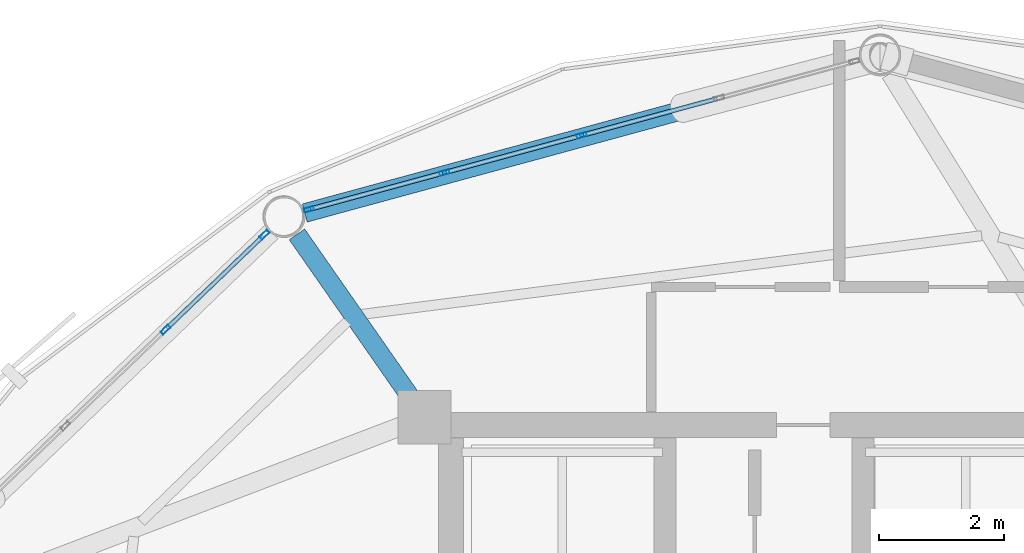
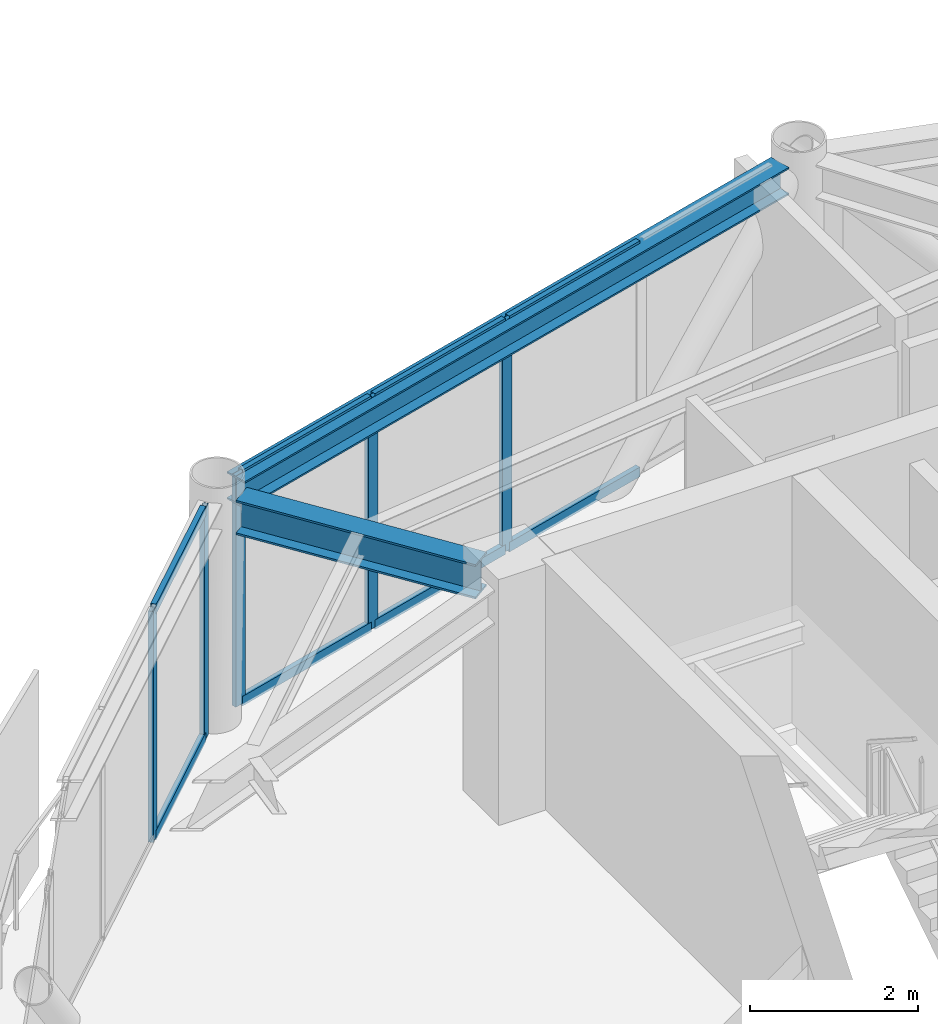
# One storey, part 18 of 28: 13 members, 2 beams, 2 elements without a shape of their own.
"""IFC4 building model written with IfcOpenShell, lengths in metres."""

from ifc_helpers import new_model, si_unit, direction, frame, origin, origin_2d, place, context, subcontext, project, spatial, hollow_rectangle, i_section, extrude, material, layer, layer_set, material_profile, profile_set, type_object, element, aggregate, save


model = new_model("IFC4")

# Units and contexts
model_context = context("Model", 3, precision=1e-05, world=origin(), true_north=direction((0.0, 1.0)))
body_context = subcontext(model_context, "Body", "Model", "MODEL_VIEW")
ifc_project = project(units=[si_unit("LENGTHUNIT", "METRE"), si_unit("AREAUNIT", "SQUARE_METRE"), si_unit("VOLUMEUNIT", "CUBIC_METRE"), si_unit("PLANEANGLEUNIT", "RADIAN"), si_unit("MASSUNIT", "GRAM", prefix="KILO")], contexts=[model_context])

# Site, building, storey
site_placement = place(None, origin())
site = spatial("IfcSite", under=ifc_project, at=site_placement, CompositionType="ELEMENT")
building_placement = place(site_placement, origin())
building = spatial("IfcBuilding", under=site, at=building_placement, Name="Varnakorn Sky Granary", CompositionType="ELEMENT")
storey_placement = place(building_placement, frame((0.0, 0.0, 211.199951171875)))
storey = spatial("IfcBuildingStorey", under=building, at=storey_placement, Name="L53", CompositionType="ELEMENT", Elevation=211.199951171875)

# Beams
ifc_material_1 = material(Name="Steel S355JR", Category="steel")
ifc_material_profile_1 = material_profile(ifc_material_1, i_section(OverallWidth=0.300048828125, OverallDepth=0.5, WebThickness=0.014404296875, FlangeThickness=0.028076171875, at=origin_2d()), Name="HE 500 B")
ifc_profile_set_1 = profile_set([ifc_material_profile_1], Name="Steel S355JR")
beam_type_1 = type_object("IfcBeamType", Name="BM-RAD-Z4", PredefinedType="BEAM", material=ifc_profile_set_1)
beam_1_placement = place(storey_placement, frame((-2.651611328125, 12.952392578125, 3.110107421875), z_axis=(-0.571803714406, 0.82039046325, 0.0), x_axis=(-0.82039046325, -0.571803714406, 0.0)))
element("IfcBeam", 1, at=beam_1_placement, inside=storey, type_object=beam_type_1, Name="Radial Floor Girder RG05 L53", PredefinedType="BEAM", context=body_context, shape_type="SweptSolid", body=[
    extrude(i_section(OverallWidth=0.300048828125, OverallDepth=0.5, WebThickness=0.014404296875, FlangeThickness=0.028076171875, at=origin_2d()), origin(), (0.0, 0.0, 1.0), 3.153564453125),
])
ifc_material_profile_2 = material_profile(ifc_material_1, i_section(OverallWidth=0.300048828125, OverallDepth=0.39990234375, WebThickness=0.013427734375, FlangeThickness=0.02392578125, at=origin_2d()), Name="HE 400 B")
ifc_profile_set_2 = profile_set([ifc_material_profile_2], Name="Steel S355JR")
beam_type_2 = type_object("IfcBeamType", Name="BM-SPD-Z4", PredefinedType="SPANDREL", material=ifc_profile_set_2)
beam_2_placement = place(storey_placement, frame((4.5458984375, 18.29443359375, 3.16015625), z_axis=(-0.964961366881, -0.262391997644, 0.0), x_axis=(0.262391997644, -0.964961366881, 0.0)))
element("IfcBeam", 2, at=beam_2_placement, inside=storey, type_object=beam_type_2, Name="Perimeter Spandrel Ring Beam RB04 L53", PredefinedType="SPANDREL", context=body_context, shape_type="SweptSolid", body=[
    extrude(i_section(OverallWidth=0.300048828125, OverallDepth=0.39990234375, WebThickness=0.013427734375, FlangeThickness=0.02392578125, at=origin_2d()), origin(), (0.0, 0.0, 1.0), 9.19921875),
])

# Curtain wall, members
ifc_material_2 = material(Name="Anodised Bronze Aluminium Alloy 6063-T6", Category="aluminium")
ifc_layer = layer(ifc_material_2, 0.169921875, Name="Anodised Bronze Aluminium Alloy 6063-T6")
ifc_layer_set = layer_set([ifc_layer], Name="Anodised Bronze Aluminium Alloy 6063-T6")
curtain_wall_type = type_object("IfcCurtainWallType", Name="CW-LAB-1", PredefinedType="USERDEFINED", material=ifc_layer_set)
curtain_wall_1_placement = place(storey_placement, origin())
curtain_wall_1 = element("IfcCurtainWall", 3, at=curtain_wall_1_placement, inside=storey, type_object=curtain_wall_type, Name="Unitised Curtain Wall CW5 CW-L53-B04", ObjectType="CURTAIN WALL", PredefinedType="USERDEFINED")
ifc_material_profile_3 = material_profile(ifc_material_2, hollow_rectangle(XDim=0.06494140625, YDim=0.159912109375, WallThickness=0.00341796875, at=origin_2d()), Name="ALU MULL 65x160")
ifc_profile_set_3 = profile_set([ifc_material_profile_3], Name="Anodised Bronze Aluminium Alloy 6063-T6")
member_type_1 = type_object("IfcMemberType", Name="CW-LAB-1-MULL", PredefinedType="MULLION", material=ifc_profile_set_3)
member_1_placement = place(storey_placement, frame((-4.26123046875, 15.938232421875, 0.0), z_axis=(0.0, 0.0, 1.0), x_axis=(-0.261920163163, 0.965089544099, 0.0)))
member_1 = element("IfcMember", 4, at=member_1_placement, type_object=member_type_1, Name="CW5 mullion 1", PredefinedType="MULLION", context=body_context, shape_type="SweptSolid", body=[
    extrude(hollow_rectangle(XDim=0.06494140625, YDim=0.159912109375, WallThickness=0.00341796875, at=origin_2d()), origin(), (0.0, 0.0, 1.0), 3.360107421875),
])
member_2_placement = place(storey_placement, frame((-2.10107421875, 16.5244140625, 0.0), z_axis=(0.0, 0.0, 1.0), x_axis=(-0.261920163163, 0.965089544099, 0.0)))
member_2 = element("IfcMember", 5, at=member_2_placement, type_object=member_type_1, Name="CW5 mullion 2", PredefinedType="MULLION", context=body_context, shape_type="SweptSolid", body=[
    extrude(hollow_rectangle(XDim=0.06494140625, YDim=0.159912109375, WallThickness=0.00341796875, at=origin_2d()), origin(), (0.0, 0.0, 1.0), 3.360107421875),
])
member_3_placement = place(storey_placement, frame((0.090576171875, 17.119140625, 0.0), z_axis=(0.0, 0.0, 1.0), x_axis=(-0.261920163163, 0.965089544099, 0.0)))
member_3 = element("IfcMember", 6, at=member_3_placement, type_object=member_type_1, Name="CW5 mullion 3", PredefinedType="MULLION", context=body_context, shape_type="SweptSolid", body=[
    extrude(hollow_rectangle(XDim=0.06494140625, YDim=0.159912109375, WallThickness=0.00341796875, at=origin_2d()), origin(), (0.0, 0.0, 1.0), 3.360107421875),
])

curtain_wall_2_placement = place(storey_placement, origin())
curtain_wall_2 = element("IfcCurtainWall", 7, at=curtain_wall_2_placement, inside=storey, type_object=curtain_wall_type, Name="Unitised Curtain Wall CW5 CW-L53-B05", ObjectType="CURTAIN WALL", PredefinedType="USERDEFINED")
member_4_placement = place(storey_placement, frame((-6.5517578125, 14.02001953125, 0.0), z_axis=(0.0, 0.0, 1.0), x_axis=(-0.692516121649, 0.721402398982, 0.0)))
member_4 = element("IfcMember", 8, at=member_4_placement, type_object=member_type_1, Name="CW5 mullion 4", PredefinedType="MULLION", context=body_context, shape_type="SweptSolid", body=[
    extrude(hollow_rectangle(XDim=0.06494140625, YDim=0.159912109375, WallThickness=0.00341796875, at=origin_2d()), origin(), (0.0, 0.0, 1.0), 3.360107421875),
])
member_5_placement = place(storey_placement, frame((-4.9736328125, 15.534912109375, 0.0), z_axis=(0.0, 0.0, 1.0), x_axis=(-0.692516121649, 0.721402398982, 0.0)))
member_5 = element("IfcMember", 9, at=member_5_placement, type_object=member_type_1, Name="CW5 mullion 5", PredefinedType="MULLION", context=body_context, shape_type="SweptSolid", body=[
    extrude(hollow_rectangle(XDim=0.06494140625, YDim=0.159912109375, WallThickness=0.00341796875, at=origin_2d()), origin(), (0.0, 0.0, 1.0), 3.360107421875),
])

# Member
ifc_material_profile_4 = material_profile(ifc_material_2, hollow_rectangle(XDim=0.070068359375, YDim=0.139892578125, WallThickness=0.00341796875, at=origin_2d()), Name="ALU TRAN 70x140")
ifc_profile_set_4 = profile_set([ifc_material_profile_4], Name="Anodised Bronze Aluminium Alloy 6063-T6")
member_type_2 = type_object("IfcMemberType", Name="CW-LAB-1-TRAN", PredefinedType="USERDEFINED", material=ifc_profile_set_4)
member_6_placement = place(storey_placement, frame((-4.22998046875, 15.94677734375, 0.03515625), z_axis=(0.965112909537, 0.261834054019, 0.0), x_axis=(-0.261834054019, 0.965112909537, 0.0)))
member_6 = element("IfcMember", 10, at=member_6_placement, type_object=member_type_2, Name="CW5 transom 1.1", ObjectType="TRANSOM", PredefinedType="USERDEFINED", context=body_context, shape_type="SweptSolid", body=[
    extrude(hollow_rectangle(XDim=0.070068359375, YDim=0.139892578125, WallThickness=0.00341796875, at=origin_2d()), origin(), (0.0, 0.0, 1.0), 2.173583984375),
])

member_7_placement = place(storey_placement, frame((-4.22998046875, 15.94677734375, 3.324951171875), z_axis=(0.965112909537, 0.261834054019, 0.0), x_axis=(-0.261834054019, 0.965112909537, 0.0)))
member_7 = element("IfcMember", 11, at=member_7_placement, type_object=member_type_2, Name="CW5 transom 1.2", ObjectType="TRANSOM", PredefinedType="USERDEFINED", context=body_context, shape_type="SweptSolid", body=[
    extrude(hollow_rectangle(XDim=0.070068359375, YDim=0.139892578125, WallThickness=0.00341796875, at=origin_2d()), origin(), (0.0, 0.0, 1.0), 2.173583984375),
])

member_8_placement = place(storey_placement, frame((-2.069580078125, 16.532958984375, 0.03515625), z_axis=(0.965069681194, 0.26199334045, 0.0), x_axis=(-0.26199334045, 0.965069681194, 0.0)))
member_8 = element("IfcMember", 12, at=member_8_placement, type_object=member_type_2, Name="CW5 transom 2.1", ObjectType="TRANSOM", PredefinedType="USERDEFINED", context=body_context, shape_type="SweptSolid", body=[
    extrude(hollow_rectangle(XDim=0.070068359375, YDim=0.139892578125, WallThickness=0.00341796875, at=origin_2d()), origin(), (0.0, 0.0, 1.0), 2.205810546875),
])

member_9_placement = place(storey_placement, frame((-2.069580078125, 16.532958984375, 3.324951171875), z_axis=(0.965069681194, 0.26199334045, 0.0), x_axis=(-0.26199334045, 0.965069681194, 0.0)))
member_9 = element("IfcMember", 13, at=member_9_placement, type_object=member_type_2, Name="CW5 transom 2.2", ObjectType="TRANSOM", PredefinedType="USERDEFINED", context=body_context, shape_type="SweptSolid", body=[
    extrude(hollow_rectangle(XDim=0.070068359375, YDim=0.139892578125, WallThickness=0.00341796875, at=origin_2d()), origin(), (0.0, 0.0, 1.0), 2.205810546875),
])

member_10_placement = place(storey_placement, frame((0.121826171875, 17.127685546875, 0.03515625), z_axis=(0.965077277508, 0.261965357324, 0.0), x_axis=(-0.261965357324, 0.965077277508, 0.0)))
member_10 = element("IfcMember", 14, at=member_10_placement, type_object=member_type_2, Name="CW5 transom 3.1", ObjectType="TRANSOM", PredefinedType="USERDEFINED", context=body_context, shape_type="SweptSolid", body=[
    extrude(hollow_rectangle(XDim=0.070068359375, YDim=0.139892578125, WallThickness=0.00341796875, at=origin_2d()), origin(), (0.0, 0.0, 1.0), 2.2060546875),
])

member_11_placement = place(storey_placement, frame((0.121826171875, 17.127685546875, 3.324951171875), z_axis=(0.965077277508, 0.261965357324, 0.0), x_axis=(-0.261965357324, 0.965077277508, 0.0)))
member_11 = element("IfcMember", 15, at=member_11_placement, type_object=member_type_2, Name="CW5 transom 3.2", ObjectType="TRANSOM", PredefinedType="USERDEFINED", context=body_context, shape_type="SweptSolid", body=[
    extrude(hollow_rectangle(XDim=0.070068359375, YDim=0.139892578125, WallThickness=0.00341796875, at=origin_2d()), origin(), (0.0, 0.0, 1.0), 2.2060546875),
])

aggregate(curtain_wall_1, [member_1, member_2, member_3, member_6, member_7, member_8, member_9, member_10, member_11])

member_12_placement = place(storey_placement, frame((-6.5283203125, 14.04248046875, 0.03515625), z_axis=(0.721394216342, 0.692524645503, 0.0), x_axis=(-0.692524645503, 0.721394216342, 0.0)))
member_12 = element("IfcMember", 16, at=member_12_placement, type_object=member_type_2, Name="CW5 transom 4.1", ObjectType="TRANSOM", PredefinedType="USERDEFINED", context=body_context, shape_type="SweptSolid", body=[
    extrude(hollow_rectangle(XDim=0.070068359375, YDim=0.139892578125, WallThickness=0.00341796875, at=origin_2d()), origin(), (0.0, 0.0, 1.0), 2.12255859375),
])

member_13_placement = place(storey_placement, frame((-6.5283203125, 14.04248046875, 3.324951171875), z_axis=(0.721394216342, 0.692524645503, 0.0), x_axis=(-0.692524645503, 0.721394216342, 0.0)))
member_13 = element("IfcMember", 17, at=member_13_placement, type_object=member_type_2, Name="CW5 transom 4.2", ObjectType="TRANSOM", PredefinedType="USERDEFINED", context=body_context, shape_type="SweptSolid", body=[
    extrude(hollow_rectangle(XDim=0.070068359375, YDim=0.139892578125, WallThickness=0.00341796875, at=origin_2d()), origin(), (0.0, 0.0, 1.0), 2.12255859375),
])

aggregate(curtain_wall_2, [member_4, member_5, member_12, member_13])

save(model, "model.ifc")
